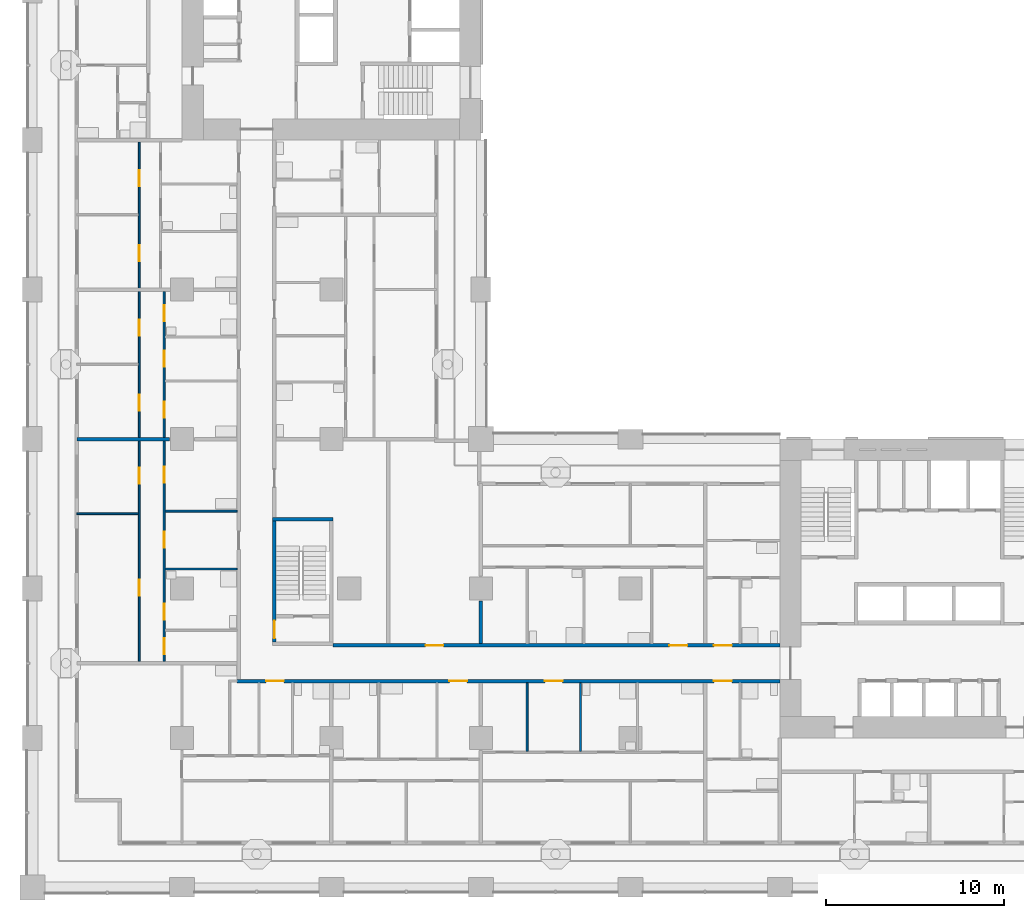
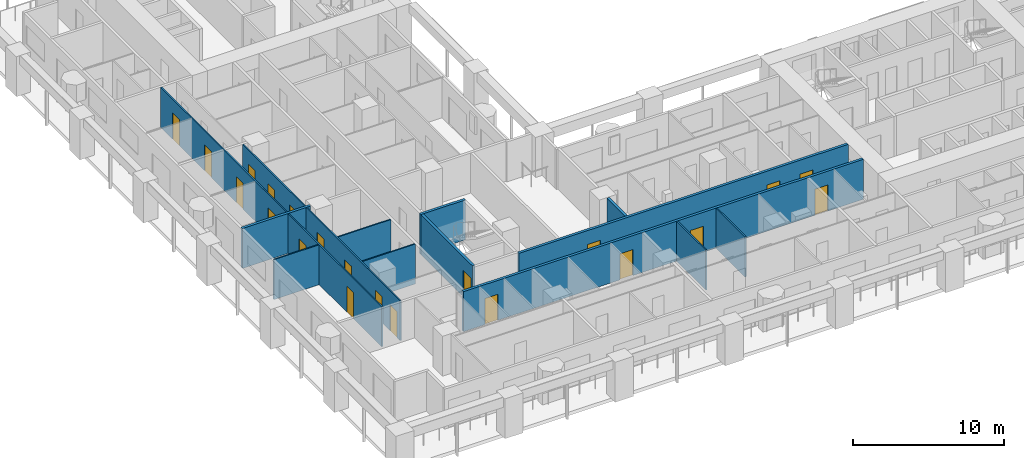
# One storey, part 3 of 22: 21 doors, 13 walls, 21 openings.
"""IFC4 building model written with IfcOpenShell, lengths in metres."""

from ifc_helpers import new_model, si_unit, direction, frame, frame_2d, origin, place, context, subcontext, project, spatial, rectangle, extrude, material, layer, layer_set, type_object, element, fill, save


model = new_model("IFC4")

# Units and contexts
model_context = context("Model", 3, precision=1e-05, world=origin(), true_north=direction((0.0, 1.0)))
body_context = subcontext(model_context, "Body", "Model", "MODEL_VIEW")
ifc_project = project(units=[si_unit("LENGTHUNIT", "METRE"), si_unit("AREAUNIT", "SQUARE_METRE"), si_unit("VOLUMEUNIT", "CUBIC_METRE"), si_unit("PLANEANGLEUNIT", "RADIAN"), si_unit("MASSUNIT", "GRAM", prefix="KILO")], contexts=[model_context])

# Site, building, storey
site_placement = place(None, origin())
site = spatial("IfcSite", under=ifc_project, at=site_placement, CompositionType="ELEMENT")
building_placement = place(site_placement, origin())
building = spatial("IfcBuilding", under=site, at=building_placement, Name="Vermilion Gate Residences", CompositionType="ELEMENT")
storey_placement = place(building_placement, frame((0.0, 0.0, 63.699951171875)))
storey = spatial("IfcBuildingStorey", under=building, at=storey_placement, Name="L15", CompositionType="ELEMENT", Elevation=63.699951171875)

# Walls
ifc_material_1 = material(Name="Plasterboard on steel studs", Category="steel")
ifc_layer_1 = layer(ifc_material_1, 0.10009765625)
ifc_layer_set_1 = layer_set([ifc_layer_1], Name="PARTITION 100")
wall_type_1 = type_object("IfcWallType", Name="PARTITION 100", PredefinedType="PARTITIONING", material=ifc_layer_set_1)
wall_1_placement = place(storey_placement, frame((7.449951171875, 17.89990234375, 0.0), z_axis=(0.0, 0.0, 1.0), x_axis=(1.0, 0.0, 0.0)))
element("IfcWall", 1, at=wall_1_placement, inside=storey, type_object=wall_type_1, Name="Partition", PredefinedType="PARTITIONING", context=body_context, shape_type="SweptSolid", body=[
    extrude(rectangle(XDim=4.050048828125, YDim=0.10009765625, at=frame_2d((2.02490234375, 0.0))), origin(), (0.0, 0.0, 1.0), 3.219970703125),
])
wall_2_placement = place(storey_placement, frame((2.5, 21.0, 0.0), z_axis=(0.0, 0.0, 1.0), x_axis=(1.0, 0.0, 0.0)))
element("IfcWall", 2, at=wall_2_placement, inside=storey, type_object=wall_type_1, Name="Partition", PredefinedType="PARTITIONING", context=body_context, shape_type="SweptSolid", body=[
    extrude(rectangle(XDim=3.449951171875, YDim=0.10009765625, at=frame_2d((1.72509765625, 0.0))), origin(), (0.0, 0.0, 1.0), 3.219970703125),
])
wall_3_placement = place(storey_placement, frame((7.449951171875, 21.14990234375, 0.0), z_axis=(0.0, 0.0, 1.0), x_axis=(1.0, 0.0, 0.0)))
element("IfcWall", 3, at=wall_3_placement, inside=storey, type_object=wall_type_1, Name="Partition", PredefinedType="PARTITIONING", context=body_context, shape_type="SweptSolid", body=[
    extrude(rectangle(XDim=4.050048828125, YDim=0.10009765625, at=frame_2d((2.02490234375, 0.0))), origin(), (0.0, 0.0, 1.0), 3.219970703125),
])

# Wall, openings, doors
wall_4_placement = place(storey_placement, frame((6.0, 12.699951171875, 0.0), z_axis=(0.0, 0.0, 1.0), x_axis=(0.0, 1.0, 0.0)))
wall_4 = element("IfcWall", 4, at=wall_4_placement, inside=storey, type_object=wall_type_1, Name="Partition", PredefinedType="PARTITIONING", context=body_context, shape_type="SweptSolid", body=[
    extrude(rectangle(XDim=29.199951171875, YDim=0.10009765625, at=frame_2d((14.60009765625, 0.0))), origin(), (0.0, 0.0, 1.0), 3.219970703125),
])
opening_1_placement = place(wall_4_placement, frame((3.699951171875, 0.0, 0.0)))
opening_1 = element("IfcOpeningElement", 5, at=opening_1_placement, cuts=wall_4, Name="Opening DA13047", PredefinedType="OPENING", context=body_context, shape_type="SweptSolid", body=[
    extrude(rectangle(XDim=0.89990234375, YDim=2.10009765625, at=frame_2d((0.449951171875, 1.050048828125))), frame((0.0, 0.06005859375, 0.0), z_axis=(0.0, -1.0, 0.0), x_axis=(1.0, 0.0, 0.0)), (0.0, 0.0, 1.0), 0.1201171875),
])
opening_2_placement = place(wall_4_placement, frame((10.0, 0.0, 0.0)))
opening_2 = element("IfcOpeningElement", 6, at=opening_2_placement, cuts=wall_4, Name="Opening DA13048", PredefinedType="OPENING", context=body_context, shape_type="SweptSolid", body=[
    extrude(rectangle(XDim=0.89990234375, YDim=2.10009765625, at=frame_2d((0.449951171875, 1.050048828125))), frame((0.0, 0.06005859375, 0.0), z_axis=(0.0, -1.0, 0.0), x_axis=(1.0, 0.0, 0.0)), (0.0, 0.0, 1.0), 0.1201171875),
])
opening_3_placement = place(wall_4_placement, frame((14.10009765625, 0.0, 0.0)))
opening_3 = element("IfcOpeningElement", 7, at=opening_3_placement, cuts=wall_4, Name="Opening DA13049", PredefinedType="OPENING", context=body_context, shape_type="SweptSolid", body=[
    extrude(rectangle(XDim=0.89990234375, YDim=2.10009765625, at=frame_2d((0.449951171875, 1.050048828125))), frame((0.0, 0.06005859375, 0.0), z_axis=(0.0, -1.0, 0.0), x_axis=(1.0, 0.0, 0.0)), (0.0, 0.0, 1.0), 0.1201171875),
])
opening_4_placement = place(wall_4_placement, frame((18.300048828125, 0.0, 0.0)))
opening_4 = element("IfcOpeningElement", 8, at=opening_4_placement, cuts=wall_4, Name="Opening DA13050", PredefinedType="OPENING", context=body_context, shape_type="SweptSolid", body=[
    extrude(rectangle(XDim=0.89990234375, YDim=2.10009765625, at=frame_2d((0.449951171875, 1.050048828125))), frame((0.0, 0.06005859375, 0.0), z_axis=(0.0, -1.0, 0.0), x_axis=(1.0, 0.0, 0.0)), (0.0, 0.0, 1.0), 0.1201171875),
])
opening_5_placement = place(wall_4_placement, frame((22.5, 0.0, 0.0)))
opening_5 = element("IfcOpeningElement", 9, at=opening_5_placement, cuts=wall_4, Name="Opening DA13051", PredefinedType="OPENING", context=body_context, shape_type="SweptSolid", body=[
    extrude(rectangle(XDim=0.89990234375, YDim=2.10009765625, at=frame_2d((0.449951171875, 1.050048828125))), frame((0.0, 0.06005859375, 0.0), z_axis=(0.0, -1.0, 0.0), x_axis=(1.0, 0.0, 0.0)), (0.0, 0.0, 1.0), 0.1201171875),
])
opening_6_placement = place(wall_4_placement, frame((26.699951171875, 0.0, 0.0)))
opening_6 = element("IfcOpeningElement", 10, at=opening_6_placement, cuts=wall_4, Name="Opening DA13052", PredefinedType="OPENING", context=body_context, shape_type="SweptSolid", body=[
    extrude(rectangle(XDim=0.89990234375, YDim=2.10009765625, at=frame_2d((0.449951171875, 1.050048828125))), frame((0.0, 0.06005859375, 0.0), z_axis=(0.0, -1.0, 0.0), x_axis=(1.0, 0.0, 0.0)), (0.0, 0.0, 1.0), 0.1201171875),
])
ifc_material_2 = material(Name="Timber", Category="wood")
door_type_1 = type_object("IfcDoorType", Name="INTERIOR DOOR 900 X 2100", OperationType="SINGLE_SWING_LEFT", PredefinedType="DOOR", material=ifc_material_2)
door_1_placement = place(opening_1_placement, origin())
door_1 = element("IfcDoor", 11, at=door_1_placement, inside=storey, type_object=door_type_1, Name="Interior door", OperationType="SINGLE_SWING_LEFT", OverallHeight=2.10009765625, OverallWidth=0.89990234375, PredefinedType="DOOR", context=body_context, shape_type="SweptSolid", body=[
    extrude(rectangle(XDim=0.89990234375, YDim=2.10009765625, at=frame_2d((0.449951171875, 1.050048828125))), frame((0.0, 0.02490234375, 0.0), z_axis=(0.0, -1.0, 0.0), x_axis=(1.0, 0.0, 0.0)), (0.0, 0.0, 1.0), 0.050048828125),
])
fill(opening_1, door_1)
door_2_placement = place(opening_2_placement, origin())
door_2 = element("IfcDoor", 12, at=door_2_placement, inside=storey, type_object=door_type_1, Name="Interior door", OperationType="SINGLE_SWING_RIGHT", OverallHeight=2.10009765625, OverallWidth=0.89990234375, PredefinedType="DOOR", context=body_context, shape_type="SweptSolid", body=[
    extrude(rectangle(XDim=0.89990234375, YDim=2.10009765625, at=frame_2d((0.449951171875, 1.050048828125))), frame((0.0, 0.02490234375, 0.0), z_axis=(0.0, -1.0, 0.0), x_axis=(1.0, 0.0, 0.0)), (0.0, 0.0, 1.0), 0.050048828125),
])
fill(opening_2, door_2)
door_3_placement = place(opening_3_placement, origin())
door_3 = element("IfcDoor", 13, at=door_3_placement, inside=storey, type_object=door_type_1, Name="Interior door", OperationType="SINGLE_SWING_LEFT", OverallHeight=2.10009765625, OverallWidth=0.89990234375, PredefinedType="DOOR", context=body_context, shape_type="SweptSolid", body=[
    extrude(rectangle(XDim=0.89990234375, YDim=2.10009765625, at=frame_2d((0.449951171875, 1.050048828125))), frame((0.0, 0.02490234375, 0.0), z_axis=(0.0, -1.0, 0.0), x_axis=(1.0, 0.0, 0.0)), (0.0, 0.0, 1.0), 0.050048828125),
])
fill(opening_3, door_3)
door_4_placement = place(opening_4_placement, origin())
door_4 = element("IfcDoor", 14, at=door_4_placement, inside=storey, type_object=door_type_1, Name="Interior door", OperationType="SINGLE_SWING_LEFT", OverallHeight=2.10009765625, OverallWidth=0.89990234375, PredefinedType="DOOR", context=body_context, shape_type="SweptSolid", body=[
    extrude(rectangle(XDim=0.89990234375, YDim=2.10009765625, at=frame_2d((0.449951171875, 1.050048828125))), frame((0.0, 0.02490234375, 0.0), z_axis=(0.0, -1.0, 0.0), x_axis=(1.0, 0.0, 0.0)), (0.0, 0.0, 1.0), 0.050048828125),
])
fill(opening_4, door_4)
door_5_placement = place(opening_5_placement, origin())
door_5 = element("IfcDoor", 15, at=door_5_placement, inside=storey, type_object=door_type_1, Name="Interior door", OperationType="SINGLE_SWING_LEFT", OverallHeight=2.10009765625, OverallWidth=0.89990234375, PredefinedType="DOOR", context=body_context, shape_type="SweptSolid", body=[
    extrude(rectangle(XDim=0.89990234375, YDim=2.10009765625, at=frame_2d((0.449951171875, 1.050048828125))), frame((0.0, 0.02490234375, 0.0), z_axis=(0.0, -1.0, 0.0), x_axis=(1.0, 0.0, 0.0)), (0.0, 0.0, 1.0), 0.050048828125),
])
fill(opening_5, door_5)
door_6_placement = place(opening_6_placement, origin())
door_6 = element("IfcDoor", 16, at=door_6_placement, inside=storey, type_object=door_type_1, Name="Interior door", OperationType="SINGLE_SWING_LEFT", OverallHeight=2.10009765625, OverallWidth=0.89990234375, PredefinedType="DOOR", context=body_context, shape_type="SweptSolid", body=[
    extrude(rectangle(XDim=0.89990234375, YDim=2.10009765625, at=frame_2d((0.449951171875, 1.050048828125))), frame((0.0, 0.02490234375, 0.0), z_axis=(0.0, -1.0, 0.0), x_axis=(1.0, 0.0, 0.0)), (0.0, 0.0, 1.0), 0.050048828125),
])
fill(opening_6, door_6)

wall_5_placement = place(storey_placement, frame((7.39990234375, 12.699951171875, 0.0), z_axis=(0.0, 0.0, 1.0), x_axis=(0.0, 1.0, 0.0)))
wall_5 = element("IfcWall", 17, at=wall_5_placement, inside=storey, type_object=wall_type_1, Name="Partition", PredefinedType="PARTITIONING", context=body_context, shape_type="SweptSolid", body=[
    extrude(rectangle(XDim=20.800048828125, YDim=0.10009765625, at=frame_2d((10.39990234375, 0.0))), origin(), (0.0, 0.0, 1.0), 3.219970703125),
])
opening_7_placement = place(wall_5_placement, frame((6.39990234375, 0.0, 0.0)))
opening_7 = element("IfcOpeningElement", 18, at=opening_7_placement, cuts=wall_5, Name="Opening DA13058", PredefinedType="OPENING", context=body_context, shape_type="SweptSolid", body=[
    extrude(rectangle(XDim=0.89990234375, YDim=2.10009765625, at=frame_2d((0.449951171875, 1.050048828125))), frame((0.0, 0.06005859375, 0.0), z_axis=(0.0, -1.0, 0.0), x_axis=(1.0, 0.0, 0.0)), (0.0, 0.0, 1.0), 0.1201171875),
])
opening_8_placement = place(wall_5_placement, frame((0.39990234375, 0.0, 0.0)))
opening_8 = element("IfcOpeningElement", 19, at=opening_8_placement, cuts=wall_5, Name="Opening DA13059", PredefinedType="OPENING", context=body_context, shape_type="SweptSolid", body=[
    extrude(rectangle(XDim=0.89990234375, YDim=2.10009765625, at=frame_2d((0.449951171875, 1.050048828125))), frame((0.0, 0.06005859375, 0.0), z_axis=(0.0, -1.0, 0.0), x_axis=(1.0, 0.0, 0.0)), (0.0, 0.0, 1.0), 0.1201171875),
])
opening_9_placement = place(wall_5_placement, frame((2.35009765625, 0.0, 0.0)))
opening_9 = element("IfcOpeningElement", 20, at=opening_9_placement, cuts=wall_5, Name="Opening DA13060", PredefinedType="OPENING", context=body_context, shape_type="SweptSolid", body=[
    extrude(rectangle(XDim=0.89990234375, YDim=2.10009765625, at=frame_2d((0.449951171875, 1.050048828125))), frame((0.0, 0.06005859375, 0.0), z_axis=(0.0, -1.0, 0.0), x_axis=(1.0, 0.0, 0.0)), (0.0, 0.0, 1.0), 0.1201171875),
])
opening_10_placement = place(wall_5_placement, frame((10.050048828125, 0.0, 0.0)))
opening_10 = element("IfcOpeningElement", 21, at=opening_10_placement, cuts=wall_5, Name="Opening DA13061", PredefinedType="OPENING", context=body_context, shape_type="SweptSolid", body=[
    extrude(rectangle(XDim=0.89990234375, YDim=2.10009765625, at=frame_2d((0.449951171875, 1.050048828125))), frame((0.0, 0.06005859375, 0.0), z_axis=(0.0, -1.0, 0.0), x_axis=(1.0, 0.0, 0.0)), (0.0, 0.0, 1.0), 0.1201171875),
])
opening_11_placement = place(wall_5_placement, frame((16.56689453125, 0.0, 0.0)))
opening_11 = element("IfcOpeningElement", 22, at=opening_11_placement, cuts=wall_5, Name="Opening DA13062", PredefinedType="OPENING", context=body_context, shape_type="SweptSolid", body=[
    extrude(rectangle(XDim=0.89990234375, YDim=2.10009765625, at=frame_2d((0.449951171875, 1.050048828125))), frame((0.0, 0.06005859375, 0.0), z_axis=(0.0, -1.0, 0.0), x_axis=(1.0, 0.0, 0.0)), (0.0, 0.0, 1.0), 0.1201171875),
])
opening_12_placement = place(wall_5_placement, frame((13.699951171875, 0.0, 0.0)))
opening_12 = element("IfcOpeningElement", 23, at=opening_12_placement, cuts=wall_5, Name="Opening DA13063", PredefinedType="OPENING", context=body_context, shape_type="SweptSolid", body=[
    extrude(rectangle(XDim=0.89990234375, YDim=2.10009765625, at=frame_2d((0.449951171875, 1.050048828125))), frame((0.0, 0.06005859375, 0.0), z_axis=(0.0, -1.0, 0.0), x_axis=(1.0, 0.0, 0.0)), (0.0, 0.0, 1.0), 0.1201171875),
])
opening_13_placement = place(wall_5_placement, frame((19.133056640625, 0.0, 0.0)))
opening_13 = element("IfcOpeningElement", 24, at=opening_13_placement, cuts=wall_5, Name="Opening DA13064", PredefinedType="OPENING", context=body_context, shape_type="SweptSolid", body=[
    extrude(rectangle(XDim=0.89990234375, YDim=2.10009765625, at=frame_2d((0.449951171875, 1.050048828125))), frame((0.0, 0.06005859375, 0.0), z_axis=(0.0, -1.0, 0.0), x_axis=(1.0, 0.0, 0.0)), (0.0, 0.0, 1.0), 0.1201171875),
])
door_7_placement = place(opening_7_placement, frame((0.89990234375, 0.0, 0.0), z_axis=(0.0, 0.0, 1.0), x_axis=(-1.0, 0.0, 0.0)))
door_7 = element("IfcDoor", 25, at=door_7_placement, inside=storey, type_object=door_type_1, Name="Interior door", OperationType="SINGLE_SWING_LEFT", OverallHeight=2.10009765625, OverallWidth=0.89990234375, PredefinedType="DOOR", context=body_context, shape_type="SweptSolid", body=[
    extrude(rectangle(XDim=0.89990234375, YDim=2.10009765625, at=frame_2d((0.449951171875, 1.050048828125))), frame((0.0, 0.02490234375, 0.0), z_axis=(0.0, -1.0, 0.0), x_axis=(1.0, 0.0, 0.0)), (0.0, 0.0, 1.0), 0.050048828125),
])
fill(opening_7, door_7)
door_8_placement = place(opening_8_placement, frame((0.89990234375, 0.0, 0.0), z_axis=(0.0, 0.0, 1.0), x_axis=(-1.0, 0.0, 0.0)))
door_8 = element("IfcDoor", 26, at=door_8_placement, inside=storey, type_object=door_type_1, Name="Interior door", OperationType="SINGLE_SWING_LEFT", OverallHeight=2.10009765625, OverallWidth=0.89990234375, PredefinedType="DOOR", context=body_context, shape_type="SweptSolid", body=[
    extrude(rectangle(XDim=0.89990234375, YDim=2.10009765625, at=frame_2d((0.449951171875, 1.050048828125))), frame((0.0, 0.02490234375, 0.0), z_axis=(0.0, -1.0, 0.0), x_axis=(1.0, 0.0, 0.0)), (0.0, 0.0, 1.0), 0.050048828125),
])
fill(opening_8, door_8)
door_9_placement = place(opening_9_placement, frame((0.89990234375, 0.0, 0.0), z_axis=(0.0, 0.0, 1.0), x_axis=(-1.0, 0.0, 0.0)))
door_9 = element("IfcDoor", 27, at=door_9_placement, inside=storey, type_object=door_type_1, Name="Interior door", OperationType="SINGLE_SWING_RIGHT", OverallHeight=2.10009765625, OverallWidth=0.89990234375, PredefinedType="DOOR", context=body_context, shape_type="SweptSolid", body=[
    extrude(rectangle(XDim=0.89990234375, YDim=2.10009765625, at=frame_2d((0.449951171875, 1.050048828125))), frame((0.0, 0.02490234375, 0.0), z_axis=(0.0, -1.0, 0.0), x_axis=(1.0, 0.0, 0.0)), (0.0, 0.0, 1.0), 0.050048828125),
])
fill(opening_9, door_9)
door_10_placement = place(opening_10_placement, frame((0.89990234375, 0.0, 0.0), z_axis=(0.0, 0.0, 1.0), x_axis=(-1.0, 0.0, 0.0)))
door_10 = element("IfcDoor", 28, at=door_10_placement, inside=storey, type_object=door_type_1, Name="Interior door", OperationType="SINGLE_SWING_LEFT", OverallHeight=2.10009765625, OverallWidth=0.89990234375, PredefinedType="DOOR", context=body_context, shape_type="SweptSolid", body=[
    extrude(rectangle(XDim=0.89990234375, YDim=2.10009765625, at=frame_2d((0.449951171875, 1.050048828125))), frame((0.0, 0.02490234375, 0.0), z_axis=(0.0, -1.0, 0.0), x_axis=(1.0, 0.0, 0.0)), (0.0, 0.0, 1.0), 0.050048828125),
])
fill(opening_10, door_10)
door_11_placement = place(opening_11_placement, frame((0.89990234375, 0.0, 0.0), z_axis=(0.0, 0.0, 1.0), x_axis=(-1.0, 0.0, 0.0)))
door_11 = element("IfcDoor", 29, at=door_11_placement, inside=storey, type_object=door_type_1, Name="Interior door", OperationType="SINGLE_SWING_LEFT", OverallHeight=2.10009765625, OverallWidth=0.89990234375, PredefinedType="DOOR", context=body_context, shape_type="SweptSolid", body=[
    extrude(rectangle(XDim=0.89990234375, YDim=2.10009765625, at=frame_2d((0.449951171875, 1.050048828125))), frame((0.0, 0.02490234375, 0.0), z_axis=(0.0, -1.0, 0.0), x_axis=(1.0, 0.0, 0.0)), (0.0, 0.0, 1.0), 0.050048828125),
])
fill(opening_11, door_11)
door_12_placement = place(opening_12_placement, frame((0.89990234375, 0.0, 0.0), z_axis=(0.0, 0.0, 1.0), x_axis=(-1.0, 0.0, 0.0)))
door_12 = element("IfcDoor", 30, at=door_12_placement, inside=storey, type_object=door_type_1, Name="Interior door", OperationType="SINGLE_SWING_RIGHT", OverallHeight=2.10009765625, OverallWidth=0.89990234375, PredefinedType="DOOR", context=body_context, shape_type="SweptSolid", body=[
    extrude(rectangle(XDim=0.89990234375, YDim=2.10009765625, at=frame_2d((0.449951171875, 1.050048828125))), frame((0.0, 0.02490234375, 0.0), z_axis=(0.0, -1.0, 0.0), x_axis=(1.0, 0.0, 0.0)), (0.0, 0.0, 1.0), 0.050048828125),
])
fill(opening_12, door_12)
door_13_placement = place(opening_13_placement, frame((0.89990234375, 0.0, 0.0), z_axis=(0.0, 0.0, 1.0), x_axis=(-1.0, 0.0, 0.0)))
door_13 = element("IfcDoor", 31, at=door_13_placement, inside=storey, type_object=door_type_1, Name="Interior door", OperationType="SINGLE_SWING_RIGHT", OverallHeight=2.10009765625, OverallWidth=0.89990234375, PredefinedType="DOOR", context=body_context, shape_type="SweptSolid", body=[
    extrude(rectangle(XDim=0.89990234375, YDim=2.10009765625, at=frame_2d((0.449951171875, 1.050048828125))), frame((0.0, 0.02490234375, 0.0), z_axis=(0.0, -1.0, 0.0), x_axis=(1.0, 0.0, 0.0)), (0.0, 0.0, 1.0), 0.050048828125),
])
fill(opening_13, door_13)

# Walls
for number, where, z_axis, x_axis, name in (
    (32, (27.800048828125, 7.64990234375, 0.0), (0.0, 0.0, 1.0), (0.0, 1.0, 0.0), "Partition"),
    (33, (30.800048828125, 7.64990234375, 0.0), (0.0, 0.0, 1.0), (0.0, 1.0, 0.0), "Partition"),
):
    element("IfcWall", number, at=place(storey_placement, frame(where, z_axis=z_axis, x_axis=x_axis)), inside=storey, type_object=wall_type_1, Name=name, PredefinedType="PARTITIONING", context=body_context, shape_type="SweptSolid", body=[
        extrude(rectangle(XDim=3.85009765625, YDim=0.10009765625, at=frame_2d((1.925048828125, 0.0))), origin(), (0.0, 0.0, 1.0), 3.219970703125),
    ])

# Wall, openings, doors
ifc_material_3 = material(Name="Fire-rated plasterboard on steel studs", Category="steel")
ifc_layer_2 = layer(ifc_material_3, 0.199951171875)
ifc_layer_set_2 = layer_set([ifc_layer_2], Name="PARTY WALL 200 EI 120")
wall_type_2 = type_object("IfcWallType", Name="PARTY WALL 200 EI 120", PredefinedType="PARTITIONING", material=ifc_layer_set_2)
wall_6_placement = place(storey_placement, frame((11.5, 11.60009765625, 0.0), z_axis=(0.0, 0.0, 1.0), x_axis=(1.0, 0.0, 0.0)))
wall_6 = element("IfcWall", 34, at=wall_6_placement, inside=storey, type_object=wall_type_2, Name="Party and corridor wall", PredefinedType="PARTITIONING", context=body_context, shape_type="SweptSolid", body=[
    extrude(rectangle(XDim=30.5, YDim=0.199951171875, at=frame_2d((15.25, 0.0))), origin(), (0.0, 0.0, 1.0), 3.219970703125),
])
opening_14_placement = place(wall_6_placement, frame((1.6259765625, 0.0, 0.0)))
opening_14 = element("IfcOpeningElement", 35, at=opening_14_placement, cuts=wall_6, Name="Opening DA13027", PredefinedType="OPENING", context=body_context, shape_type="SweptSolid", body=[
    extrude(rectangle(XDim=1.0, YDim=2.10009765625, at=frame_2d((0.5, 1.050048828125))), frame((0.0, 0.10986328125, 0.0), z_axis=(0.0, -1.0, 0.0), x_axis=(1.0, 0.0, 0.0)), (0.0, 0.0, 1.0), 0.219970703125),
])
opening_15_placement = place(wall_6_placement, frame((11.93310546875, 0.0, 0.0)))
opening_15 = element("IfcOpeningElement", 36, at=opening_15_placement, cuts=wall_6, Name="Opening DA13028", PredefinedType="OPENING", context=body_context, shape_type="SweptSolid", body=[
    extrude(rectangle(XDim=1.0, YDim=2.10009765625, at=frame_2d((0.5, 1.050048828125))), frame((0.0, 0.10986328125, 0.0), z_axis=(0.0, -1.0, 0.0), x_axis=(1.0, 0.0, 0.0)), (0.0, 0.0, 1.0), 0.219970703125),
])
opening_16_placement = place(wall_6_placement, frame((17.300048828125, 0.0, 0.0)))
opening_16 = element("IfcOpeningElement", 37, at=opening_16_placement, cuts=wall_6, Name="Opening DA13029", PredefinedType="OPENING", context=body_context, shape_type="SweptSolid", body=[
    extrude(rectangle(XDim=1.0, YDim=2.10009765625, at=frame_2d((0.5, 1.050048828125))), frame((0.0, 0.10986328125, 0.0), z_axis=(0.0, -1.0, 0.0), x_axis=(1.0, 0.0, 0.0)), (0.0, 0.0, 1.0), 0.219970703125),
])
opening_17_placement = place(wall_6_placement, frame((26.800048828125, 0.0, 0.0)))
opening_17 = element("IfcOpeningElement", 38, at=opening_17_placement, cuts=wall_6, Name="Opening DA13030", PredefinedType="OPENING", context=body_context, shape_type="SweptSolid", body=[
    extrude(rectangle(XDim=1.0, YDim=2.10009765625, at=frame_2d((0.5, 1.050048828125))), frame((0.0, 0.10986328125, 0.0), z_axis=(0.0, -1.0, 0.0), x_axis=(1.0, 0.0, 0.0)), (0.0, 0.0, 1.0), 0.219970703125),
])
ifc_material_4 = material(Name="Steel", Category="steel")
door_type_2 = type_object("IfcDoorType", Name="ENTRANCE DOOR 1000 X 2100 FD30", OperationType="SINGLE_SWING_LEFT", PredefinedType="DOOR", material=ifc_material_4)
door_14_placement = place(opening_14_placement, frame((1.0, 0.0, 0.0), z_axis=(0.0, 0.0, 1.0), x_axis=(-1.0, 0.0, 0.0)))
door_14 = element("IfcDoor", 39, at=door_14_placement, inside=storey, type_object=door_type_2, Name="Entrance door", OperationType="SINGLE_SWING_RIGHT", OverallHeight=2.10009765625, OverallWidth=1.0, PredefinedType="DOOR", context=body_context, shape_type="SweptSolid", body=[
    extrude(rectangle(XDim=1.0, YDim=2.10009765625, at=frame_2d((0.5, 1.050048828125))), frame((0.0, 0.02490234375, 0.0), z_axis=(0.0, -1.0, 0.0), x_axis=(1.0, 0.0, 0.0)), (0.0, 0.0, 1.0), 0.050048828125),
])
fill(opening_14, door_14)
door_15_placement = place(opening_15_placement, frame((1.0, 0.0, 0.0), z_axis=(0.0, 0.0, 1.0), x_axis=(-1.0, 0.0, 0.0)))
door_15 = element("IfcDoor", 40, at=door_15_placement, inside=storey, type_object=door_type_2, Name="Entrance door", OperationType="SINGLE_SWING_RIGHT", OverallHeight=2.10009765625, OverallWidth=1.0, PredefinedType="DOOR", context=body_context, shape_type="SweptSolid", body=[
    extrude(rectangle(XDim=1.0, YDim=2.10009765625, at=frame_2d((0.5, 1.050048828125))), frame((0.0, 0.02490234375, 0.0), z_axis=(0.0, -1.0, 0.0), x_axis=(1.0, 0.0, 0.0)), (0.0, 0.0, 1.0), 0.050048828125),
])
fill(opening_15, door_15)
door_16_placement = place(opening_16_placement, frame((1.0, 0.0, 0.0), z_axis=(0.0, 0.0, 1.0), x_axis=(-1.0, 0.0, 0.0)))
door_16 = element("IfcDoor", 41, at=door_16_placement, inside=storey, type_object=door_type_2, Name="Entrance door", OperationType="SINGLE_SWING_LEFT", OverallHeight=2.10009765625, OverallWidth=1.0, PredefinedType="DOOR", context=body_context, shape_type="SweptSolid", body=[
    extrude(rectangle(XDim=1.0, YDim=2.10009765625, at=frame_2d((0.5, 1.050048828125))), frame((0.0, 0.02490234375, 0.0), z_axis=(0.0, -1.0, 0.0), x_axis=(1.0, 0.0, 0.0)), (0.0, 0.0, 1.0), 0.050048828125),
])
fill(opening_16, door_16)
door_17_placement = place(opening_17_placement, frame((1.0, 0.0, 0.0), z_axis=(0.0, 0.0, 1.0), x_axis=(-1.0, 0.0, 0.0)))
door_17 = element("IfcDoor", 42, at=door_17_placement, inside=storey, type_object=door_type_2, Name="Entrance door", OperationType="SINGLE_SWING_RIGHT", OverallHeight=2.10009765625, OverallWidth=1.0, PredefinedType="DOOR", context=body_context, shape_type="SweptSolid", body=[
    extrude(rectangle(XDim=1.0, YDim=2.10009765625, at=frame_2d((0.5, 1.050048828125))), frame((0.0, 0.02490234375, 0.0), z_axis=(0.0, -1.0, 0.0), x_axis=(1.0, 0.0, 0.0)), (0.0, 0.0, 1.0), 0.050048828125),
])
fill(opening_17, door_17)

wall_7_placement = place(storey_placement, frame((16.89990234375, 13.60009765625, 0.0), z_axis=(0.0, 0.0, 1.0), x_axis=(1.0, 0.0, 0.0)))
wall_7 = element("IfcWall", 43, at=wall_7_placement, inside=storey, type_object=wall_type_2, Name="Party and corridor wall", PredefinedType="PARTITIONING", context=body_context, shape_type="SweptSolid", body=[
    extrude(rectangle(XDim=25.10009765625, YDim=0.199951171875, at=frame_2d((12.550048828125, 0.0))), origin(), (0.0, 0.0, 1.0), 3.219970703125),
])
opening_18_placement = place(wall_7_placement, frame((18.89990234375, 0.0, 0.0)))
opening_18 = element("IfcOpeningElement", 44, at=opening_18_placement, cuts=wall_7, Name="Opening DA13032", PredefinedType="OPENING", context=body_context, shape_type="SweptSolid", body=[
    extrude(rectangle(XDim=1.0, YDim=2.10009765625, at=frame_2d((0.5, 1.050048828125))), frame((0.0, 0.10986328125, 0.0), z_axis=(0.0, -1.0, 0.0), x_axis=(1.0, 0.0, 0.0)), (0.0, 0.0, 1.0), 0.219970703125),
])
opening_19_placement = place(wall_7_placement, frame((21.39990234375, 0.0, 0.0)))
opening_19 = element("IfcOpeningElement", 45, at=opening_19_placement, cuts=wall_7, Name="Opening DA13033", PredefinedType="OPENING", context=body_context, shape_type="SweptSolid", body=[
    extrude(rectangle(XDim=1.0, YDim=2.10009765625, at=frame_2d((0.5, 1.050048828125))), frame((0.0, 0.10986328125, 0.0), z_axis=(0.0, -1.0, 0.0), x_axis=(1.0, 0.0, 0.0)), (0.0, 0.0, 1.0), 0.219970703125),
])
opening_20_placement = place(wall_7_placement, frame((5.199951171875, 0.0, 0.0)))
opening_20 = element("IfcOpeningElement", 46, at=opening_20_placement, cuts=wall_7, Name="Opening DA13034", PredefinedType="OPENING", context=body_context, shape_type="SweptSolid", body=[
    extrude(rectangle(XDim=1.0, YDim=2.10009765625, at=frame_2d((0.5, 1.050048828125))), frame((0.0, 0.10986328125, 0.0), z_axis=(0.0, -1.0, 0.0), x_axis=(1.0, 0.0, 0.0)), (0.0, 0.0, 1.0), 0.219970703125),
])
door_18_placement = place(opening_18_placement, origin())
door_18 = element("IfcDoor", 47, at=door_18_placement, inside=storey, type_object=door_type_2, Name="Entrance door", OperationType="SINGLE_SWING_RIGHT", OverallHeight=2.10009765625, OverallWidth=1.0, PredefinedType="DOOR", context=body_context, shape_type="SweptSolid", body=[
    extrude(rectangle(XDim=1.0, YDim=2.10009765625, at=frame_2d((0.5, 1.050048828125))), frame((0.0, 0.02490234375, 0.0), z_axis=(0.0, -1.0, 0.0), x_axis=(1.0, 0.0, 0.0)), (0.0, 0.0, 1.0), 0.050048828125),
])
fill(opening_18, door_18)
door_19_placement = place(opening_19_placement, origin())
door_19 = element("IfcDoor", 48, at=door_19_placement, inside=storey, type_object=door_type_2, Name="Entrance door", OperationType="SINGLE_SWING_LEFT", OverallHeight=2.10009765625, OverallWidth=1.0, PredefinedType="DOOR", context=body_context, shape_type="SweptSolid", body=[
    extrude(rectangle(XDim=1.0, YDim=2.10009765625, at=frame_2d((0.5, 1.050048828125))), frame((0.0, 0.02490234375, 0.0), z_axis=(0.0, -1.0, 0.0), x_axis=(1.0, 0.0, 0.0)), (0.0, 0.0, 1.0), 0.050048828125),
])
fill(opening_19, door_19)
door_20_placement = place(opening_20_placement, origin())
door_20 = element("IfcDoor", 49, at=door_20_placement, inside=storey, type_object=door_type_2, Name="Entrance door", OperationType="SINGLE_SWING_LEFT", OverallHeight=2.10009765625, OverallWidth=1.0, PredefinedType="DOOR", context=body_context, shape_type="SweptSolid", body=[
    extrude(rectangle(XDim=1.0, YDim=2.10009765625, at=frame_2d((0.5, 1.050048828125))), frame((0.0, 0.02490234375, 0.0), z_axis=(0.0, -1.0, 0.0), x_axis=(1.0, 0.0, 0.0)), (0.0, 0.0, 1.0), 0.050048828125),
])
fill(opening_20, door_20)

# Walls
wall_8_placement = place(storey_placement, frame((2.5, 25.199951171875, 0.0), z_axis=(0.0, 0.0, 1.0), x_axis=(1.0, 0.0, 0.0)))
element("IfcWall", 50, at=wall_8_placement, inside=storey, type_object=wall_type_2, Name="Party and corridor wall", PredefinedType="PARTITIONING", context=body_context, shape_type="SweptSolid", body=[
    extrude(rectangle(XDim=5.199951171875, YDim=0.199951171875, at=frame_2d((2.60009765625, 0.0))), origin(), (0.0, 0.0, 1.0), 3.219970703125),
])
wall_9_placement = place(storey_placement, frame((25.199951171875, 13.699951171875, 0.0), z_axis=(0.0, 0.0, 1.0), x_axis=(0.0, 1.0, 0.0)))
element("IfcWall", 51, at=wall_9_placement, inside=storey, type_object=wall_type_2, Name="Party and corridor wall", PredefinedType="PARTITIONING", context=body_context, shape_type="SweptSolid", body=[
    extrude(rectangle(XDim=2.400146484375, YDim=0.199951171875, at=frame_2d((1.2001953125, 0.0))), origin(), (0.0, 0.0, 1.0), 3.219970703125),
])

# Wall, opening, door
ifc_material_5 = material(Name="Concrete C60", Category="concrete")
ifc_layer_3 = layer(ifc_material_5, 0.199951171875)
ifc_layer_set_3 = layer_set([ifc_layer_3], Name="RC CORE INTERNAL WALL 200 C60")
wall_type_3 = type_object("IfcWallType", Name="RC CORE INTERNAL WALL 200 C60", PredefinedType="SHEAR", material=ifc_layer_set_3)
wall_10_placement = place(storey_placement, frame((13.60009765625, 13.800048828125, 0.0), z_axis=(0.0, 0.0, 1.0), x_axis=(0.0, 1.0, 0.0)))
wall_10 = element("IfcWall", 52, at=wall_10_placement, inside=storey, type_object=wall_type_3, Name="Core internal wall C15-W", PredefinedType="SHEAR", context=body_context, shape_type="SweptSolid", body=[
    extrude(rectangle(XDim=6.800048828125, YDim=0.199951171875, at=frame_2d((3.39990234375, 0.0))), origin(), (0.0, 0.0, 1.0), 3.219970703125),
])
opening_21_placement = place(wall_10_placement, frame((0.199951171875, 0.0, 0.0)))
opening_21 = element("IfcOpeningElement", 53, at=opening_21_placement, cuts=wall_10, Name="Opening DK15201", PredefinedType="OPENING", context=body_context, shape_type="SweptSolid", body=[
    extrude(rectangle(XDim=1.0, YDim=2.10009765625, at=frame_2d((0.5, 1.050048828125))), frame((0.0, 0.10986328125, 0.0), z_axis=(0.0, -1.0, 0.0), x_axis=(1.0, 0.0, 0.0)), (0.0, 0.0, 1.0), 0.219970703125),
])
ifc_material_6 = material(Name="Steel", Category="steel")
door_type_3 = type_object("IfcDoorType", Name="FIRE DOOR FD60 1000 X 2100", OperationType="SINGLE_SWING_LEFT", PredefinedType="DOOR", material=ifc_material_6)
door_21_placement = place(opening_21_placement, frame((1.0, 0.0, 0.0), z_axis=(0.0, 0.0, 1.0), x_axis=(-1.0, 0.0, 0.0)))
door_21 = element("IfcDoor", 54, at=door_21_placement, inside=storey, type_object=door_type_3, Name="Stair vestibule door C15", OperationType="SINGLE_SWING_LEFT", OverallHeight=2.10009765625, OverallWidth=1.0, PredefinedType="DOOR", context=body_context, shape_type="SweptSolid", body=[
    extrude(rectangle(XDim=1.0, YDim=2.10009765625, at=frame_2d((0.5, 1.050048828125))), frame((0.0, 0.02490234375, 0.0), z_axis=(0.0, -1.0, 0.0), x_axis=(1.0, 0.0, 0.0)), (0.0, 0.0, 1.0), 0.050048828125),
])
fill(opening_21, door_21)

# Wall
wall_11_placement = place(storey_placement, frame((13.5, 20.699951171875, 0.0), z_axis=(0.0, 0.0, 1.0), x_axis=(1.0, 0.0, 0.0)))
element("IfcWall", 55, at=wall_11_placement, inside=storey, type_object=wall_type_3, Name="Core internal wall C15-N", PredefinedType="SHEAR", context=body_context, shape_type="SweptSolid", body=[
    extrude(rectangle(XDim=3.39990234375, YDim=0.199951171875, at=frame_2d((1.699951171875, 0.0))), origin(), (0.0, 0.0, 1.0), 3.219970703125),
])

save(model, "model.ifc")
